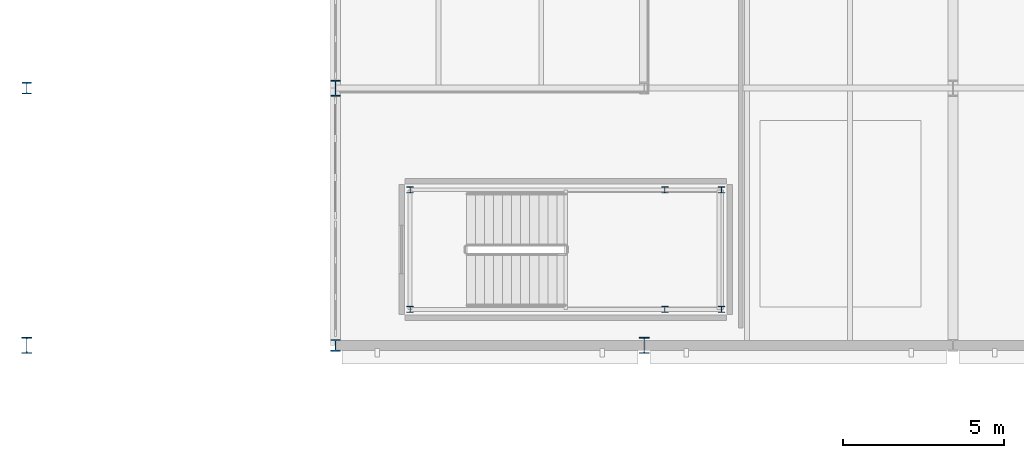
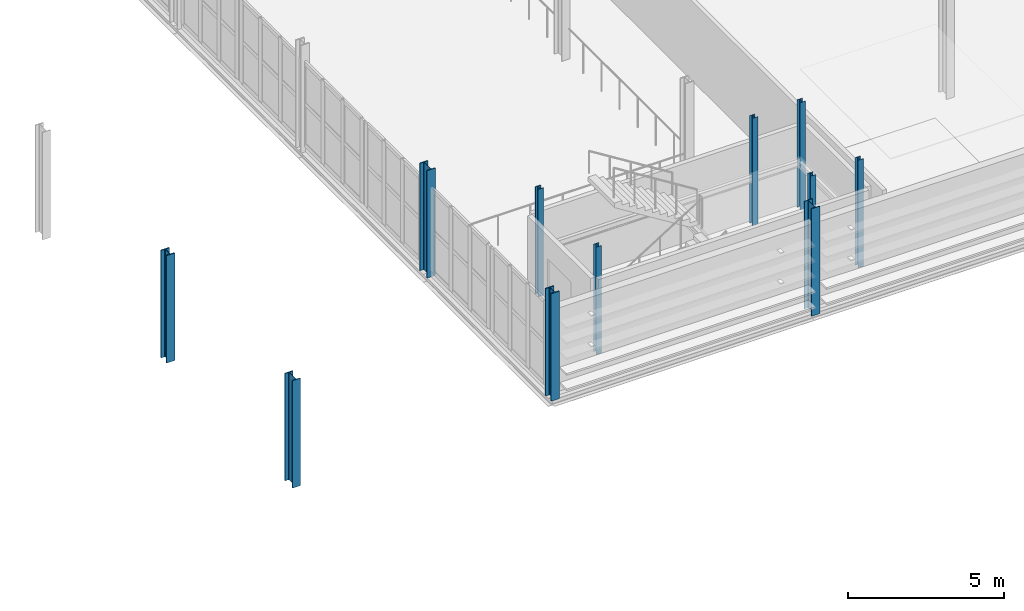
# One storey, part 2 of 78: 11 columns.
"""IFC4 building model written with IfcOpenShell, lengths in metres."""

from ifc_helpers import new_model, si_unit, direction, frame, origin, origin_2d, place, context, subcontext, project, spatial, i_section, extrude, material, material_profile, profile_set, type_object, element, save


model = new_model("IFC4")

# Units and contexts
model_context = context("Model", 3, precision=1e-05, world=origin(), true_north=direction((0.0, 1.0)))
body_context = subcontext(model_context, "Body", "Model", "MODEL_VIEW")
ifc_project = project(units=[si_unit("LENGTHUNIT", "METRE"), si_unit("AREAUNIT", "SQUARE_METRE"), si_unit("VOLUMEUNIT", "CUBIC_METRE"), si_unit("PLANEANGLEUNIT", "RADIAN"), si_unit("MASSUNIT", "GRAM", prefix="KILO")], contexts=[model_context])

# Site, building, storey
site_placement = place(None, origin())
site = spatial("IfcSite", under=ifc_project, at=site_placement, CompositionType="ELEMENT")
building_placement = place(site_placement, origin())
building = spatial("IfcBuilding", under=site, at=building_placement, Name="Alderhovde Museum", CompositionType="ELEMENT")
storey_placement = place(building_placement, frame((0.0, 0.0, 4.5)))
storey = spatial("IfcBuildingStorey", under=building, at=storey_placement, Name="L01", CompositionType="ELEMENT", Elevation=4.5)

# Columns
ifc_material_1 = material(Name="Steel S355J2", Category="steel")
ifc_material_profile_1 = material_profile(ifc_material_1, i_section(OverallWidth=0.199951171875, OverallDepth=0.18994140625, WebThickness=0.006591796875, FlangeThickness=0.010009765625, FilletRadius=0.01806640625, at=origin_2d()), Name="HEA 200")
ifc_profile_set_1 = profile_set([ifc_material_profile_1], Name="Steel S355J2")
column_type_1 = type_object("IfcColumnType", Name="COL-HEA200", PredefinedType="COLUMN", material=ifc_profile_set_1)
for number, where, z_axis, x_axis, name in (
    (1, (21.52001953125, 49.1201171875, 0.0), (0.0, 0.0, 1.0), (1.0, 0.0, 0.0), "L01 Stair ST1 Shaft Column 1"),
    (2, (31.199951171875, 49.1201171875, 0.0), (0.0, 0.0, 1.0), (1.0, 0.0, 0.0), "L01 Stair ST1 Shaft Column 2"),
    (3, (31.199951171875, 52.840087890625, 0.0), (0.0, 0.0, 1.0), (1.0, 0.0, 0.0), "L01 Stair ST1 Shaft Column 3"),
    (4, (21.52001953125, 52.840087890625, 0.0), (0.0, 0.0, 1.0), (1.0, 0.0, 0.0), "L01 Stair ST1 Shaft Column 4"),
    (5, (29.43994140625, 49.1201171875, 0.0), (0.0, 0.0, 1.0), (1.0, 0.0, 0.0), "L01 Stair ST1 Shaft Column 5"),
    (6, (29.43994140625, 52.840087890625, 0.0), (0.0, 0.0, 1.0), (1.0, 0.0, 0.0), "L01 Stair ST1 Shaft Column 6"),
):
    element("IfcColumn", number, at=place(storey_placement, frame(where, z_axis=z_axis, x_axis=x_axis)), inside=storey, type_object=column_type_1, Name=name, PredefinedType="COLUMN", context=body_context, shape_type="SweptSolid", body=[
        extrude(i_section(OverallWidth=0.199951171875, OverallDepth=0.18994140625, WebThickness=0.006591796875, FlangeThickness=0.010009765625, FilletRadius=0.01806640625, at=origin_2d()), origin(), (0.0, 0.0, 1.0), 4.199951171875),
    ])
ifc_material_2 = material(Name="Steel S355J2", Category="steel")
ifc_material_profile_2 = material_profile(ifc_material_2, i_section(OverallWidth=0.300048828125, OverallDepth=0.5, WebThickness=0.014404296875, FlangeThickness=0.028076171875, FilletRadius=0.027099609375, at=origin_2d()), Name="HEB 500")
ifc_profile_set_2 = profile_set([ifc_material_profile_2], Name="Steel S355J2")
column_type_2 = type_object("IfcColumnType", Name="COL-HEB500", PredefinedType="COLUMN", material=ifc_profile_set_2)
for number, where, z_axis, x_axis, name in (
    (7, (9.60009765625, 48.0, -0.260009765625), (0.0, 0.0, 1.0), (1.0, 0.0, 0.0), "L01 Column (9.6, 48.0)"),
    (8, (19.199951171875, 56.0, -0.260009765625), (0.0, 0.0, 1.0), (1.0, 0.0, 0.0), "L01 Column (19.2, 56.0)"),
    (9, (28.800048828125, 48.0, -0.260009765625), (0.0, 0.0, 1.0), (1.0, 0.0, 0.0), "L01 Column (28.8, 48.0)"),
):
    element("IfcColumn", number, at=place(storey_placement, frame(where, z_axis=z_axis, x_axis=x_axis)), inside=storey, type_object=column_type_2, Name=name, PredefinedType="COLUMN", context=body_context, shape_type="SweptSolid", body=[
        extrude(i_section(OverallWidth=0.300048828125, OverallDepth=0.5, WebThickness=0.014404296875, FlangeThickness=0.028076171875, FilletRadius=0.027099609375, at=origin_2d()), origin(), (0.0, 0.0, 1.0), 4.199951171875),
    ])
ifc_material_3 = material(Name="Steel S355J2", Category="steel")
ifc_material_profile_3 = material_profile(ifc_material_3, i_section(OverallWidth=0.30908203125, OverallDepth=0.376953125, WebThickness=0.02099609375, FlangeThickness=0.0400390625, FilletRadius=0.027099609375, at=origin_2d()), Name="HEM 340")
ifc_profile_set_3 = profile_set([ifc_material_profile_3], Name="Steel S355J2")
column_type_3 = type_object("IfcColumnType", Name="COL-HEM340", PredefinedType="COLUMN", material=ifc_profile_set_3)
for number, where, z_axis, x_axis, name in (
    (10, (9.60009765625, 56.0, -0.260009765625), (0.0, 0.0, 1.0), (1.0, 0.0, 0.0), "L01 Column (9.6, 56.0)"),
    (11, (19.199951171875, 48.0, -0.260009765625), (0.0, 0.0, 1.0), (1.0, 0.0, 0.0), "L01 Column (19.2, 48.0)"),
):
    element("IfcColumn", number, at=place(storey_placement, frame(where, z_axis=z_axis, x_axis=x_axis)), inside=storey, type_object=column_type_3, Name=name, PredefinedType="COLUMN", context=body_context, shape_type="SweptSolid", body=[
        extrude(i_section(OverallWidth=0.30908203125, OverallDepth=0.376953125, WebThickness=0.02099609375, FlangeThickness=0.0400390625, FilletRadius=0.027099609375, at=origin_2d()), origin(), (0.0, 0.0, 1.0), 4.199951171875),
    ])

save(model, "model.ifc")
